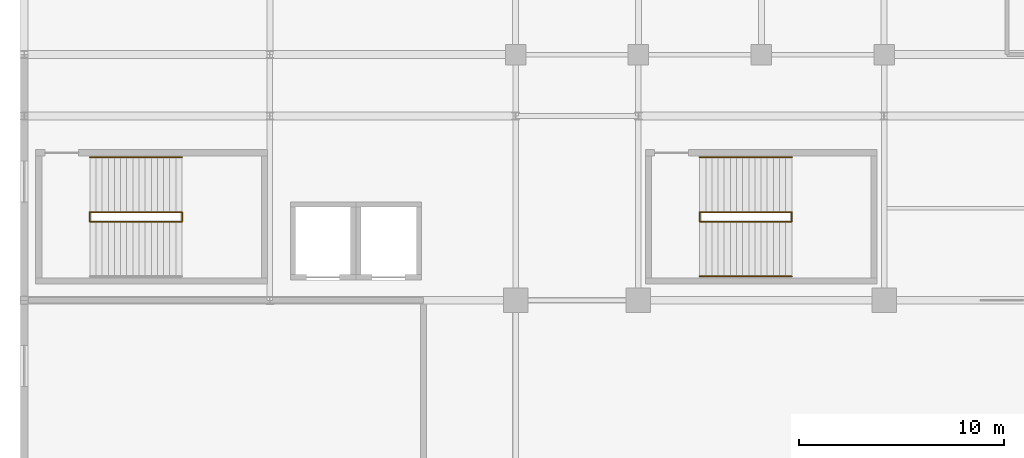
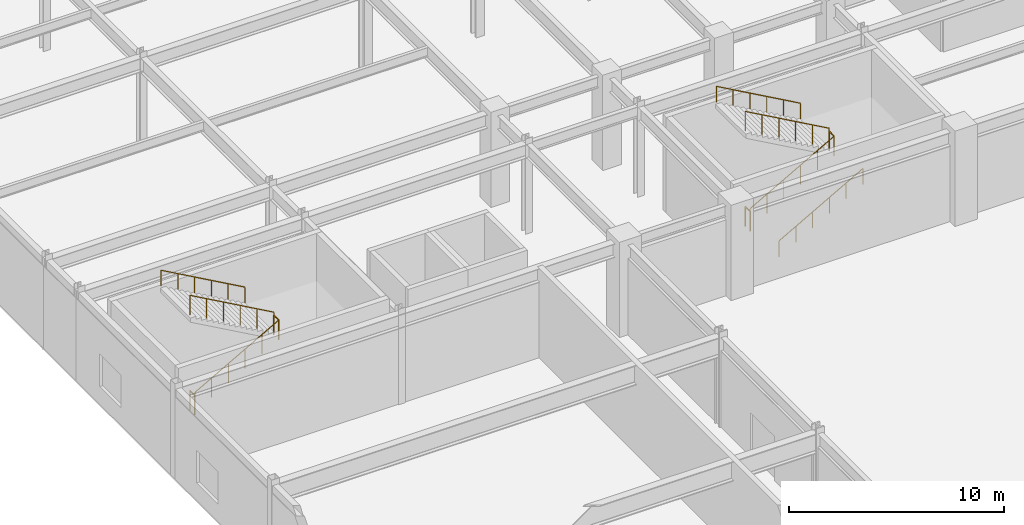
# One storey, part 95 of 100: 11 railings.
"""IFC4 building model written with IfcOpenShell, lengths in metres."""

from ifc_helpers import new_model, si_unit, direction, frame, origin, origin_2d, place, context, subcontext, project, spatial, circle, extrude, material, type_object, element, save


model = new_model("IFC4")

# Units and contexts
model_context = context("Model", 3, precision=1e-05, world=origin(), true_north=direction((0.0, 1.0)))
body_context = subcontext(model_context, "Body", "Model", "MODEL_VIEW")
ifc_project = project(units=[si_unit("LENGTHUNIT", "METRE"), si_unit("AREAUNIT", "SQUARE_METRE"), si_unit("VOLUMEUNIT", "CUBIC_METRE"), si_unit("PLANEANGLEUNIT", "RADIAN"), si_unit("MASSUNIT", "GRAM", prefix="KILO")], contexts=[model_context])

# Site, building, storey
site_placement = place(None, origin())
site = spatial("IfcSite", under=ifc_project, at=site_placement, CompositionType="ELEMENT")
building_placement = place(site_placement, origin())
building = spatial("IfcBuilding", under=site, at=building_placement, Name="Kaldorvane Square Convention Centre", CompositionType="ELEMENT")
storey_placement = place(building_placement, frame((0.0, 0.0, 18.0)))
storey = spatial("IfcBuildingStorey", under=building, at=storey_placement, Name="L03", CompositionType="ELEMENT", Elevation=18.0)

# Railings
ifc_material = material(Name="Architectural Painted Steel", Category="steel")
railing_type_1 = type_object("IfcRailingType", Name="RL-GUARD-1120", PredefinedType="BALUSTRADE", material=ifc_material)
for number, where, name in (
    (1, (3.2100067138671875, 75.86000061035156, 0.0), "Convention Exit Stair C12 Floor Well Guard (L03)"),
    (2, (7.7100067138671875, 75.86000061035156, 2.6999969482421875), "Convention Exit Stair C12 Half-Landing Guard (L03)"),
):
    element("IfcRailing", number, at=place(storey_placement, frame(where)), inside=storey, type_object=railing_type_1, Name=name, PredefinedType="BALUSTRADE", context=body_context, shape_type="SweptSolid", body=[
        extrude(circle(Radius=0.0240020751953125, at=origin_2d()), frame((0.0, 0.0, 1.0959930419921875), z_axis=(0.0, 1.0, 0.0), x_axis=(-1.0, 0.0, 0.0)), (0.0, 0.0, 1.0), 0.44000244140625),
        extrude(circle(Radius=0.02099609375, at=origin_2d()), origin(), (0.0, 0.0, 1.0), 1.071990966796875),
        extrude(circle(Radius=0.02099609375, at=origin_2d()), frame((0.0, 0.44000244140625, 0.0)), (0.0, 0.0, 1.0), 1.071990966796875),
    ])
railing_1_placement = place(storey_placement, frame((3.2100067138671875, 75.85000610351562, 0.1687469482421875)))
element("IfcRailing", 3, at=railing_1_placement, inside=storey, type_object=railing_type_1, Name="Convention Exit Stair C12 Flight 1 Guard (L03)", PredefinedType="BALUSTRADE", context=body_context, shape_type="SweptSolid", body=[
    extrude(circle(Radius=0.0240020751953125, at=origin_2d()), frame((0.0, 0.0, 1.0959930419921875), z_axis=(0.871575537125, 0.0, 0.490261239633), x_axis=(0.0, 1.0, 0.0)), (0.0, 0.0, 1.0), 5.1630706787109375),
    extrude(circle(Radius=0.02099609375, at=origin_2d()), origin(), (0.0, 0.0, 1.0), 1.071990966796875),
    extrude(circle(Radius=0.02099609375, at=origin_2d()), frame((0.899993896484375, 0.0, 0.506256103515625)), (0.0, 0.0, 1.0), 1.071990966796875),
    extrude(circle(Radius=0.02099609375, at=origin_2d()), frame((1.8000030517578125, 0.0, 1.0124969482421875)), (0.0, 0.0, 1.0), 1.071990966796875),
    extrude(circle(Radius=0.02099609375, at=origin_2d()), frame((2.6999969482421875, 0.0, 1.5187530517578125)), (0.0, 0.0, 1.0), 1.071990966796875),
    extrude(circle(Radius=0.02099609375, at=origin_2d()), frame((3.600006103515625, 0.0, 2.024993896484375)), (0.0, 0.0, 1.0), 1.071990966796875),
    extrude(circle(Radius=0.02099609375, at=origin_2d()), frame((4.5, 0.0, 2.53125)), (0.0, 0.0, 1.0), 1.071990966796875),
])
railing_2_placement = place(storey_placement, frame((7.7100067138671875, 76.30999755859375, 2.868743896484375)))
element("IfcRailing", 4, at=railing_2_placement, inside=storey, type_object=railing_type_1, Name="Convention Exit Stair C12 Flight 2 Guard (L03)", PredefinedType="BALUSTRADE", context=body_context, shape_type="SweptSolid", body=[
    extrude(circle(Radius=0.0240020751953125, at=origin_2d()), frame((0.0, 0.0, 1.0959930419921875), z_axis=(-0.871575537125, 0.0, 0.490261239633), x_axis=(0.0, -1.0, 0.0)), (0.0, 0.0, 1.0), 5.1630706787109375),
    extrude(circle(Radius=0.02099609375, at=origin_2d()), origin(), (0.0, 0.0, 1.0), 1.071990966796875),
    extrude(circle(Radius=0.02099609375, at=origin_2d()), frame((-0.899993896484375, 0.0, 0.506256103515625)), (0.0, 0.0, 1.0), 1.071990966796875),
    extrude(circle(Radius=0.02099609375, at=origin_2d()), frame((-1.8000030517578125, 0.0, 1.0124969482421875)), (0.0, 0.0, 1.0), 1.071990966796875),
    extrude(circle(Radius=0.02099609375, at=origin_2d()), frame((-2.6999969482421875, 0.0, 1.5187530517578125)), (0.0, 0.0, 1.0), 1.071990966796875),
    extrude(circle(Radius=0.02099609375, at=origin_2d()), frame((-3.600006103515625, 0.0, 2.024993896484375)), (0.0, 0.0, 1.0), 1.071990966796875),
    extrude(circle(Radius=0.02099609375, at=origin_2d()), frame((-4.5, 0.0, 2.53125)), (0.0, 0.0, 1.0), 1.071990966796875),
])
for number, where, name in (
    (5, (32.99000549316406, 75.86000061035156, 0.0), "Convention Exit Stair C13 Floor Well Guard (L03)"),
    (6, (37.49000549316406, 75.86000061035156, 2.6999969482421875), "Convention Exit Stair C13 Half-Landing Guard (L03)"),
):
    element("IfcRailing", number, at=place(storey_placement, frame(where)), inside=storey, type_object=railing_type_1, Name=name, PredefinedType="BALUSTRADE", context=body_context, shape_type="SweptSolid", body=[
        extrude(circle(Radius=0.0240020751953125, at=origin_2d()), frame((0.0, 0.0, 1.0959930419921875), z_axis=(0.0, 1.0, 0.0), x_axis=(-1.0, 0.0, 0.0)), (0.0, 0.0, 1.0), 0.44000244140625),
        extrude(circle(Radius=0.02099609375, at=origin_2d()), origin(), (0.0, 0.0, 1.0), 1.071990966796875),
        extrude(circle(Radius=0.02099609375, at=origin_2d()), frame((0.0, 0.44000244140625, 0.0)), (0.0, 0.0, 1.0), 1.071990966796875),
    ])
railing_3_placement = place(storey_placement, frame((32.99000549316406, 75.85000610351562, 0.1687469482421875)))
element("IfcRailing", 7, at=railing_3_placement, inside=storey, type_object=railing_type_1, Name="Convention Exit Stair C13 Flight 1 Guard (L03)", PredefinedType="BALUSTRADE", context=body_context, shape_type="SweptSolid", body=[
    extrude(circle(Radius=0.0240020751953125, at=origin_2d()), frame((0.0, 0.0, 1.0959930419921875), z_axis=(0.871575537125, 0.0, 0.490261239633), x_axis=(0.0, 1.0, 0.0)), (0.0, 0.0, 1.0), 5.1630706787109375),
    extrude(circle(Radius=0.02099609375, at=origin_2d()), origin(), (0.0, 0.0, 1.0), 1.071990966796875),
    extrude(circle(Radius=0.02099609375, at=origin_2d()), frame((0.899993896484375, 0.0, 0.506256103515625)), (0.0, 0.0, 1.0), 1.071990966796875),
    extrude(circle(Radius=0.02099609375, at=origin_2d()), frame((1.8000030517578125, 0.0, 1.0124969482421875)), (0.0, 0.0, 1.0), 1.071990966796875),
    extrude(circle(Radius=0.02099609375, at=origin_2d()), frame((2.6999969482421875, 0.0, 1.5187530517578125)), (0.0, 0.0, 1.0), 1.071990966796875),
    extrude(circle(Radius=0.02099609375, at=origin_2d()), frame((3.600006103515625, 0.0, 2.024993896484375)), (0.0, 0.0, 1.0), 1.071990966796875),
    extrude(circle(Radius=0.02099609375, at=origin_2d()), frame((4.5, 0.0, 2.53125)), (0.0, 0.0, 1.0), 1.071990966796875),
])
railing_4_placement = place(storey_placement, frame((37.49000549316406, 76.30999755859375, 2.868743896484375)))
element("IfcRailing", 8, at=railing_4_placement, inside=storey, type_object=railing_type_1, Name="Convention Exit Stair C13 Flight 2 Guard (L03)", PredefinedType="BALUSTRADE", context=body_context, shape_type="SweptSolid", body=[
    extrude(circle(Radius=0.0240020751953125, at=origin_2d()), frame((0.0, 0.0, 1.0959930419921875), z_axis=(-0.871575537125, 0.0, 0.490261239633), x_axis=(0.0, -1.0, 0.0)), (0.0, 0.0, 1.0), 5.1630706787109375),
    extrude(circle(Radius=0.02099609375, at=origin_2d()), origin(), (0.0, 0.0, 1.0), 1.071990966796875),
    extrude(circle(Radius=0.02099609375, at=origin_2d()), frame((-0.899993896484375, 0.0, 0.506256103515625)), (0.0, 0.0, 1.0), 1.071990966796875),
    extrude(circle(Radius=0.02099609375, at=origin_2d()), frame((-1.8000030517578125, 0.0, 1.0124969482421875)), (0.0, 0.0, 1.0), 1.071990966796875),
    extrude(circle(Radius=0.02099609375, at=origin_2d()), frame((-2.6999969482421875, 0.0, 1.5187530517578125)), (0.0, 0.0, 1.0), 1.071990966796875),
    extrude(circle(Radius=0.02099609375, at=origin_2d()), frame((-3.600006103515625, 0.0, 2.024993896484375)), (0.0, 0.0, 1.0), 1.071990966796875),
    extrude(circle(Radius=0.02099609375, at=origin_2d()), frame((-4.5, 0.0, 2.53125)), (0.0, 0.0, 1.0), 1.071990966796875),
])
railing_type_2 = type_object("IfcRailingType", Name="RL-HAND-915", PredefinedType="HANDRAIL", material=ifc_material)
railing_5_placement = place(storey_placement, frame((7.7100067138671875, 78.99000549316406, 2.868743896484375)))
element("IfcRailing", 9, at=railing_5_placement, inside=storey, type_object=railing_type_2, Name="Convention Exit Stair C12 Wall Handrail 2 (L03)", PredefinedType="HANDRAIL", context=body_context, shape_type="SweptSolid", body=[
    extrude(circle(Radius=0.0240020751953125, at=origin_2d()), frame((0.0, 0.0, 0.8909912109375), z_axis=(-0.871575537125, 0.0, 0.490261239633), x_axis=(0.0, -1.0, 0.0)), (0.0, 0.0, 1.0), 5.1630706787109375),
    extrude(circle(Radius=0.02099609375, at=origin_2d()), origin(), (0.0, 0.0, 1.0), 0.8669891357421875),
    extrude(circle(Radius=0.02099609375, at=origin_2d()), frame((-0.899993896484375, 0.0, 0.506256103515625)), (0.0, 0.0, 1.0), 0.8669891357421875),
    extrude(circle(Radius=0.02099609375, at=origin_2d()), frame((-1.8000030517578125, 0.0, 1.0124969482421875)), (0.0, 0.0, 1.0), 0.8669891357421875),
    extrude(circle(Radius=0.02099609375, at=origin_2d()), frame((-2.6999969482421875, 0.0, 1.5187530517578125)), (0.0, 0.0, 1.0), 0.8669891357421875),
    extrude(circle(Radius=0.02099609375, at=origin_2d()), frame((-3.600006103515625, 0.0, 2.024993896484375)), (0.0, 0.0, 1.0), 0.8669891357421875),
    extrude(circle(Radius=0.02099609375, at=origin_2d()), frame((-4.5, 0.0, 2.53125)), (0.0, 0.0, 1.0), 0.8669891357421875),
])
railing_6_placement = place(storey_placement, frame((32.99000549316406, 73.16999816894531, 0.1687469482421875)))
element("IfcRailing", 10, at=railing_6_placement, inside=storey, type_object=railing_type_2, Name="Convention Exit Stair C13 Wall Handrail 1 (L03)", PredefinedType="HANDRAIL", context=body_context, shape_type="SweptSolid", body=[
    extrude(circle(Radius=0.0240020751953125, at=origin_2d()), frame((0.0, 0.0, 0.8909912109375), z_axis=(0.871575537125, 0.0, 0.490261239633), x_axis=(0.0, 1.0, 0.0)), (0.0, 0.0, 1.0), 5.1630706787109375),
    extrude(circle(Radius=0.02099609375, at=origin_2d()), origin(), (0.0, 0.0, 1.0), 0.8669891357421875),
    extrude(circle(Radius=0.02099609375, at=origin_2d()), frame((0.899993896484375, 0.0, 0.506256103515625)), (0.0, 0.0, 1.0), 0.8669891357421875),
    extrude(circle(Radius=0.02099609375, at=origin_2d()), frame((1.8000030517578125, 0.0, 1.0124969482421875)), (0.0, 0.0, 1.0), 0.8669891357421875),
    extrude(circle(Radius=0.02099609375, at=origin_2d()), frame((2.6999969482421875, 0.0, 1.5187530517578125)), (0.0, 0.0, 1.0), 0.8669891357421875),
    extrude(circle(Radius=0.02099609375, at=origin_2d()), frame((3.600006103515625, 0.0, 2.024993896484375)), (0.0, 0.0, 1.0), 0.8669891357421875),
    extrude(circle(Radius=0.02099609375, at=origin_2d()), frame((4.5, 0.0, 2.53125)), (0.0, 0.0, 1.0), 0.8669891357421875),
])
railing_7_placement = place(storey_placement, frame((37.49000549316406, 78.99000549316406, 2.868743896484375)))
element("IfcRailing", 11, at=railing_7_placement, inside=storey, type_object=railing_type_2, Name="Convention Exit Stair C13 Wall Handrail 2 (L03)", PredefinedType="HANDRAIL", context=body_context, shape_type="SweptSolid", body=[
    extrude(circle(Radius=0.0240020751953125, at=origin_2d()), frame((0.0, 0.0, 0.8909912109375), z_axis=(-0.871575537125, 0.0, 0.490261239633), x_axis=(0.0, -1.0, 0.0)), (0.0, 0.0, 1.0), 5.1630706787109375),
    extrude(circle(Radius=0.02099609375, at=origin_2d()), origin(), (0.0, 0.0, 1.0), 0.8669891357421875),
    extrude(circle(Radius=0.02099609375, at=origin_2d()), frame((-0.899993896484375, 0.0, 0.506256103515625)), (0.0, 0.0, 1.0), 0.8669891357421875),
    extrude(circle(Radius=0.02099609375, at=origin_2d()), frame((-1.8000030517578125, 0.0, 1.0124969482421875)), (0.0, 0.0, 1.0), 0.8669891357421875),
    extrude(circle(Radius=0.02099609375, at=origin_2d()), frame((-2.6999969482421875, 0.0, 1.5187530517578125)), (0.0, 0.0, 1.0), 0.8669891357421875),
    extrude(circle(Radius=0.02099609375, at=origin_2d()), frame((-3.600006103515625, 0.0, 2.024993896484375)), (0.0, 0.0, 1.0), 0.8669891357421875),
    extrude(circle(Radius=0.02099609375, at=origin_2d()), frame((-4.5, 0.0, 2.53125)), (0.0, 0.0, 1.0), 0.8669891357421875),
])

save(model, "model.ifc")
